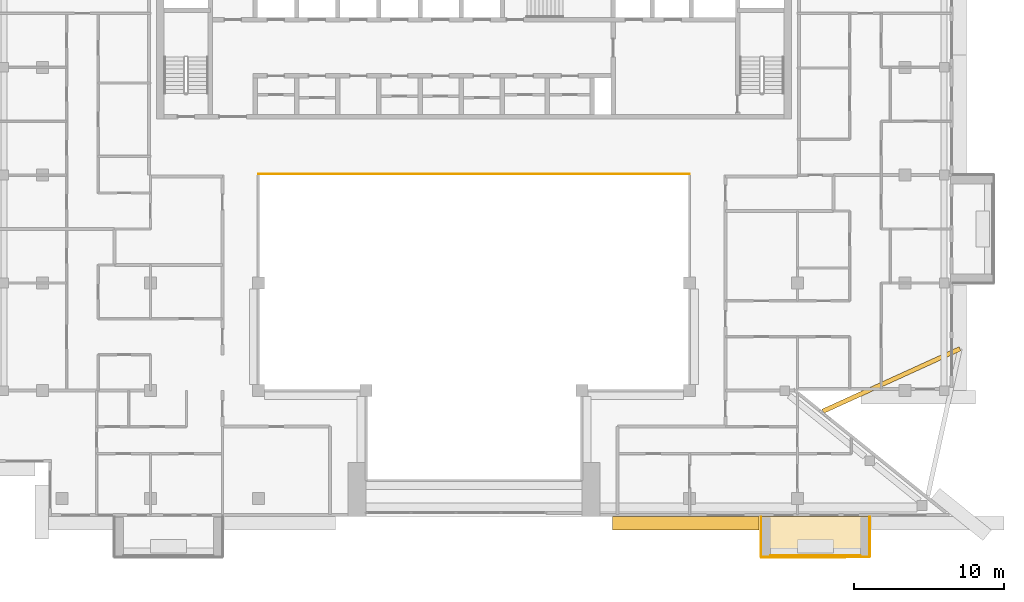
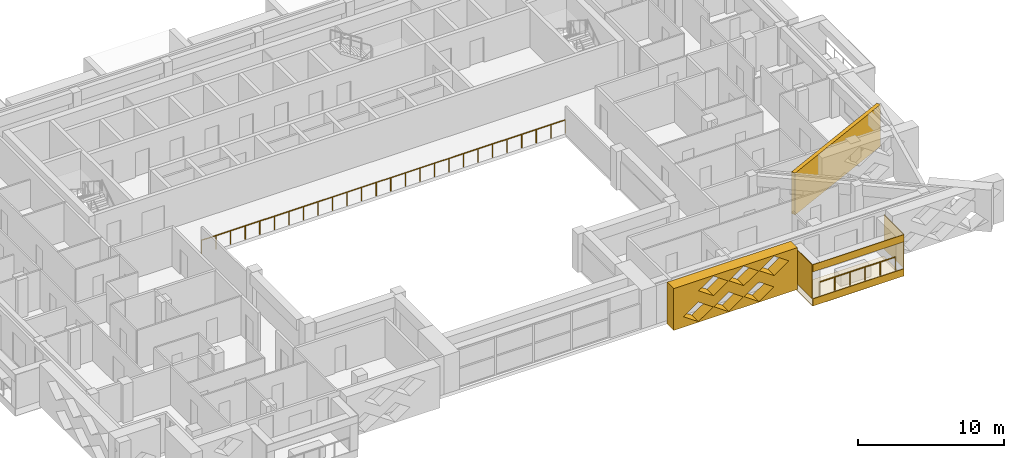
# One storey, part 15 of 19: 7 coverings, 2 railings.
"""IFC4 building model written with IfcOpenShell, lengths in metres."""

from ifc_helpers import new_model, si_unit, direction, frame, origin, origin_2d, place, context, subcontext, project, spatial, polyline, circle, outline, extrude, material, layer, layer_set, type_object, element, save


model = new_model("IFC4")

# Units and contexts
model_context = context("Model", 3, precision=1e-05, world=origin(), true_north=direction((0.0, 1.0)))
body_context = subcontext(model_context, "Body", "Model", "MODEL_VIEW")
ifc_project = project(units=[si_unit("LENGTHUNIT", "METRE"), si_unit("AREAUNIT", "SQUARE_METRE"), si_unit("VOLUMEUNIT", "CUBIC_METRE"), si_unit("PLANEANGLEUNIT", "RADIAN"), si_unit("MASSUNIT", "GRAM", prefix="KILO")], contexts=[model_context])

# Site, building, storey
site_placement = place(None, origin())
site = spatial("IfcSite", under=ifc_project, at=site_placement, CompositionType="ELEMENT")
building_placement = place(site_placement, origin())
building = spatial("IfcBuilding", under=site, at=building_placement, Name="Saffron Iwan Residences", CompositionType="ELEMENT")
storey_placement = place(building_placement, frame((0.0, 0.0, 239.5)))
storey = spatial("IfcBuildingStorey", under=building, at=storey_placement, Name="L64", CompositionType="ELEMENT", Elevation=239.5)

# Railings
ifc_material_1 = material(Name="Stainless steel 316", Category="steel")
railing_type_1 = type_object("IfcRailingType", Name="Atrium guard 1150", PredefinedType="GUARDRAIL", material=ifc_material_1)
railing_1_placement = place(storey_placement, frame((36.0, 62.47509765625, 0.0)))
element("IfcRailing", 1, at=railing_1_placement, inside=storey, type_object=railing_type_1, Name="Atrium guard L64", PredefinedType="GUARDRAIL", context=body_context, shape_type="SweptSolid", body=[
    extrude(circle(Radius=0.02392578125, at=origin_2d()), frame((0.0, 0.0, 1.1259765625), z_axis=(1.0, 0.0, 0.0), x_axis=(0.0, 1.0, 0.0)), (0.0, 0.0, 1.0), 28.800048828125),
    extrude(circle(Radius=0.02099609375, at=origin_2d()), origin(), (0.0, 0.0, 1.0), 1.101806640625),
    extrude(circle(Radius=0.02099609375, at=origin_2d()), frame((1.152099609375, 0.0, 0.0)), (0.0, 0.0, 1.0), 1.101806640625),
    extrude(circle(Radius=0.02099609375, at=origin_2d()), frame((2.303955078125, 0.0, 0.0)), (0.0, 0.0, 1.0), 1.101806640625),
    extrude(circle(Radius=0.02099609375, at=origin_2d()), frame((3.4560546875, 0.0, 0.0)), (0.0, 0.0, 1.0), 1.101806640625),
    extrude(circle(Radius=0.02099609375, at=origin_2d()), frame((4.60791015625, 0.0, 0.0)), (0.0, 0.0, 1.0), 1.101806640625),
    extrude(circle(Radius=0.02099609375, at=origin_2d()), frame((5.760009765625, 0.0, 0.0)), (0.0, 0.0, 1.0), 1.101806640625),
    extrude(circle(Radius=0.02099609375, at=origin_2d()), frame((6.912109375, 0.0, 0.0)), (0.0, 0.0, 1.0), 1.101806640625),
    extrude(circle(Radius=0.02099609375, at=origin_2d()), frame((8.06396484375, 0.0, 0.0)), (0.0, 0.0, 1.0), 1.101806640625),
    extrude(circle(Radius=0.02099609375, at=origin_2d()), frame((9.216064453125, 0.0, 0.0)), (0.0, 0.0, 1.0), 1.101806640625),
    extrude(circle(Radius=0.02099609375, at=origin_2d()), frame((10.367919921875, 0.0, 0.0)), (0.0, 0.0, 1.0), 1.101806640625),
    extrude(circle(Radius=0.02099609375, at=origin_2d()), frame((11.52001953125, 0.0, 0.0)), (0.0, 0.0, 1.0), 1.101806640625),
    extrude(circle(Radius=0.02099609375, at=origin_2d()), frame((12.672119140625, 0.0, 0.0)), (0.0, 0.0, 1.0), 1.101806640625),
    extrude(circle(Radius=0.02099609375, at=origin_2d()), frame((13.823974609375, 0.0, 0.0)), (0.0, 0.0, 1.0), 1.101806640625),
    extrude(circle(Radius=0.02099609375, at=origin_2d()), frame((14.97607421875, 0.0, 0.0)), (0.0, 0.0, 1.0), 1.101806640625),
    extrude(circle(Radius=0.02099609375, at=origin_2d()), frame((16.1279296875, 0.0, 0.0)), (0.0, 0.0, 1.0), 1.101806640625),
    extrude(circle(Radius=0.02099609375, at=origin_2d()), frame((17.280029296875, 0.0, 0.0)), (0.0, 0.0, 1.0), 1.101806640625),
    extrude(circle(Radius=0.02099609375, at=origin_2d()), frame((18.43212890625, 0.0, 0.0)), (0.0, 0.0, 1.0), 1.101806640625),
    extrude(circle(Radius=0.02099609375, at=origin_2d()), frame((19.583984375, 0.0, 0.0)), (0.0, 0.0, 1.0), 1.101806640625),
    extrude(circle(Radius=0.02099609375, at=origin_2d()), frame((20.736083984375, 0.0, 0.0)), (0.0, 0.0, 1.0), 1.101806640625),
    extrude(circle(Radius=0.02099609375, at=origin_2d()), frame((21.887939453125, 0.0, 0.0)), (0.0, 0.0, 1.0), 1.101806640625),
    extrude(circle(Radius=0.02099609375, at=origin_2d()), frame((23.0400390625, 0.0, 0.0)), (0.0, 0.0, 1.0), 1.101806640625),
    extrude(circle(Radius=0.02099609375, at=origin_2d()), frame((24.192138671875, 0.0, 0.0)), (0.0, 0.0, 1.0), 1.101806640625),
    extrude(circle(Radius=0.02099609375, at=origin_2d()), frame((25.343994140625, 0.0, 0.0)), (0.0, 0.0, 1.0), 1.101806640625),
    extrude(circle(Radius=0.02099609375, at=origin_2d()), frame((26.49609375, 0.0, 0.0)), (0.0, 0.0, 1.0), 1.101806640625),
    extrude(circle(Radius=0.02099609375, at=origin_2d()), frame((27.64794921875, 0.0, 0.0)), (0.0, 0.0, 1.0), 1.101806640625),
    extrude(circle(Radius=0.02099609375, at=origin_2d()), frame((28.800048828125, 0.0, 0.0)), (0.0, 0.0, 1.0), 1.101806640625),
])
railing_type_2 = type_object("IfcRailingType", Name="BALCONY GUARD 1150", PredefinedType="GUARDRAIL", material=ifc_material_1)
railing_2_placement = place(storey_placement, frame((70.199951171875, 36.97509765625, 0.0)))
element("IfcRailing", 2, at=railing_2_placement, inside=storey, type_object=railing_type_2, Name="Balcony guard L64 11-1", PredefinedType="GUARDRAIL", context=body_context, shape_type="SweptSolid", body=[
    extrude(circle(Radius=0.02392578125, at=origin_2d()), frame((0.0, 0.0, 1.1259765625), z_axis=(1.0, 0.0, 0.0), x_axis=(0.0, 1.0, 0.0)), (0.0, 0.0, 1.0), 6.0),
    extrude(circle(Radius=0.02099609375, at=origin_2d()), origin(), (0.0, 0.0, 1.0), 1.101806640625),
    extrude(circle(Radius=0.02099609375, at=origin_2d()), frame((1.199951171875, 0.0, 0.0)), (0.0, 0.0, 1.0), 1.101806640625),
    extrude(circle(Radius=0.02099609375, at=origin_2d()), frame((2.39990234375, 0.0, 0.0)), (0.0, 0.0, 1.0), 1.101806640625),
    extrude(circle(Radius=0.02099609375, at=origin_2d()), frame((3.60009765625, 0.0, 0.0)), (0.0, 0.0, 1.0), 1.101806640625),
    extrude(circle(Radius=0.02099609375, at=origin_2d()), frame((4.800048828125, 0.0, 0.0)), (0.0, 0.0, 1.0), 1.101806640625),
    extrude(circle(Radius=0.02099609375, at=origin_2d()), frame((6.0, 0.0, 0.0)), (0.0, 0.0, 1.0), 1.101806640625),
])

# Coverings
ifc_material_2 = material(Name="Precast concrete C40/50 white painted", Category="concrete")
ifc_layer_1 = layer(ifc_material_2, 0.050048828125)
ifc_layer_set_1 = layer_set([ifc_layer_1], Name="Precast concrete C40/50 white painted")
covering_type_1 = type_object("IfcCoveringType", Name="FRAME SKIN PRECAST WHITE 50", PredefinedType="CLADDING", material=ifc_layer_set_1)
for number, where, name in (
    (3, (0.0, 0.0, -0.60009765625), "Frame skin slab edge L64 11-1"),
    (4, (0.0, 0.0, 2.25), "Frame skin fascia L64 11-1"),
):
    element("IfcCovering", number, at=place(storey_placement, frame(where)), inside=storey, type_object=covering_type_1, Name=name, PredefinedType="CLADDING", context=body_context, shape_type="SweptSolid", body=[
        extrude(outline(polyline([(69.60009765625, 36.85009765625), (76.800048828125, 36.85009765625), (76.800048828125, 36.89990234375), (69.60009765625, 36.89990234375), (69.60009765625, 36.85009765625)])), origin(), (0.0, 0.0, 1.0), 0.60009765625),
    ])
covering_1_placement = place(storey_placement, frame((0.0, 0.0, -0.64990234375)))
element("IfcCovering", 5, at=covering_1_placement, inside=storey, type_object=covering_type_1, Name="Frame skin soffit L64 11-1", PredefinedType="CLADDING", context=body_context, shape_type="SweptSolid", body=[
    extrude(outline(polyline([(69.60009765625, 36.89990234375), (76.800048828125, 36.89990234375), (76.800048828125, 39.60009765625), (69.60009765625, 39.60009765625), (69.60009765625, 36.89990234375)])), origin(), (0.0, 0.0, 1.0), 0.0498046875),
])
covering_2_placement = place(storey_placement, origin())
element("IfcCovering", 6, at=covering_2_placement, inside=storey, type_object=covering_type_1, Name="Frame skin fin L64 11-1a", PredefinedType="CLADDING", context=body_context, shape_type="SweptSolid", body=[
    extrude(outline(polyline([(69.550048828125, 36.89990234375), (69.60009765625, 36.89990234375), (69.60009765625, 39.60009765625), (69.550048828125, 39.60009765625), (69.550048828125, 36.89990234375)])), origin(), (0.0, 0.0, 1.0), 2.85009765625),
])
covering_3_placement = place(storey_placement, origin())
element("IfcCovering", 7, at=covering_3_placement, inside=storey, type_object=covering_type_1, Name="Frame skin fin L64 11-1b", PredefinedType="CLADDING", context=body_context, shape_type="SweptSolid", body=[
    extrude(outline(polyline([(76.800048828125, 36.89990234375), (76.85009765625, 36.89990234375), (76.85009765625, 39.60009765625), (76.800048828125, 39.60009765625), (76.800048828125, 36.89990234375)])), origin(), (0.0, 0.0, 1.0), 2.85009765625),
])
ifc_material_3 = material(Name="Precast concrete C40/50", Category="concrete")
covering_type_2 = type_object("IfcCoveringType", Name="OUTER SKIN LATTICE SCREEN", PredefinedType="CLADDING", material=ifc_material_3)
covering_4_placement = place(storey_placement, frame((59.64990234375, 39.60009765625, -0.280029296875), z_axis=(0.0, -1.0, 0.0), x_axis=(1.0, 0.0, 0.0)))
element("IfcCovering", 8, at=covering_4_placement, inside=storey, type_object=covering_type_2, Name="OUTER SKIN lattice screen L64 F11.2", PredefinedType="CLADDING", context=body_context, shape_type="SweptSolid", body=[
    extrude(outline(polyline([(0.0, 0.0), (9.800048828125, 0.0), (9.800048828125, 3.5), (0.0, 3.5), (0.0, 0.0)]), holes=[polyline([(0.77001953125, 0.875), (1.949951171875, 0.06005859375), (3.1298828125, 0.875), (1.949951171875, 1.68994140625), (0.77001953125, 0.875)]), polyline([(3.169921875, 0.875), (4.35009765625, 0.06005859375), (5.530029296875, 0.875), (4.35009765625, 1.68994140625), (3.169921875, 0.875)]), polyline([(5.570068359375, 0.875), (6.75, 0.06005859375), (7.929931640625, 0.875), (6.75, 1.68994140625), (5.570068359375, 0.875)]), polyline([(1.969970703125, 2.625), (3.14990234375, 1.81005859375), (4.330078125, 2.625), (3.14990234375, 3.43994140625), (1.969970703125, 2.625)]), polyline([(4.3701171875, 2.625), (5.550048828125, 1.81005859375), (6.72998046875, 2.625), (5.550048828125, 3.43994140625), (4.3701171875, 2.625)]), polyline([(6.77001953125, 2.625), (7.949951171875, 1.81005859375), (9.1298828125, 2.625), (7.949951171875, 3.43994140625), (6.77001953125, 2.625)])]), origin(), (0.0, 0.0, 1.0), 0.900146484375),
])
ifc_layer_2 = layer(ifc_material_2, 0.300048828125)
ifc_layer_set_2 = layer_set([ifc_layer_2], Name="Precast concrete C40/50 white painted")
covering_type_3 = type_object("IfcCoveringType", Name="PROW NOSE BLADE PRECAST WHITE", PredefinedType="CLADDING", material=ifc_layer_set_2)
covering_5_placement = place(storey_placement, frame((0.0, 0.0, -0.280029296875)))
element("IfcCovering", 9, at=covering_5_placement, inside=storey, type_object=covering_type_3, Name="Prow nose blade L64 b", PredefinedType="CLADDING", context=body_context, shape_type="SweptSolid", body=[
    extrude(outline(polyline([(73.761474609375, 46.490966796875), (82.917236328125, 50.6650390625), (82.792724609375, 50.93798828125), (73.636962890625, 46.763916015625), (73.761474609375, 46.490966796875)])), origin(), (0.0, 0.0, 1.0), 3.5),
])

save(model, "model.ifc")
